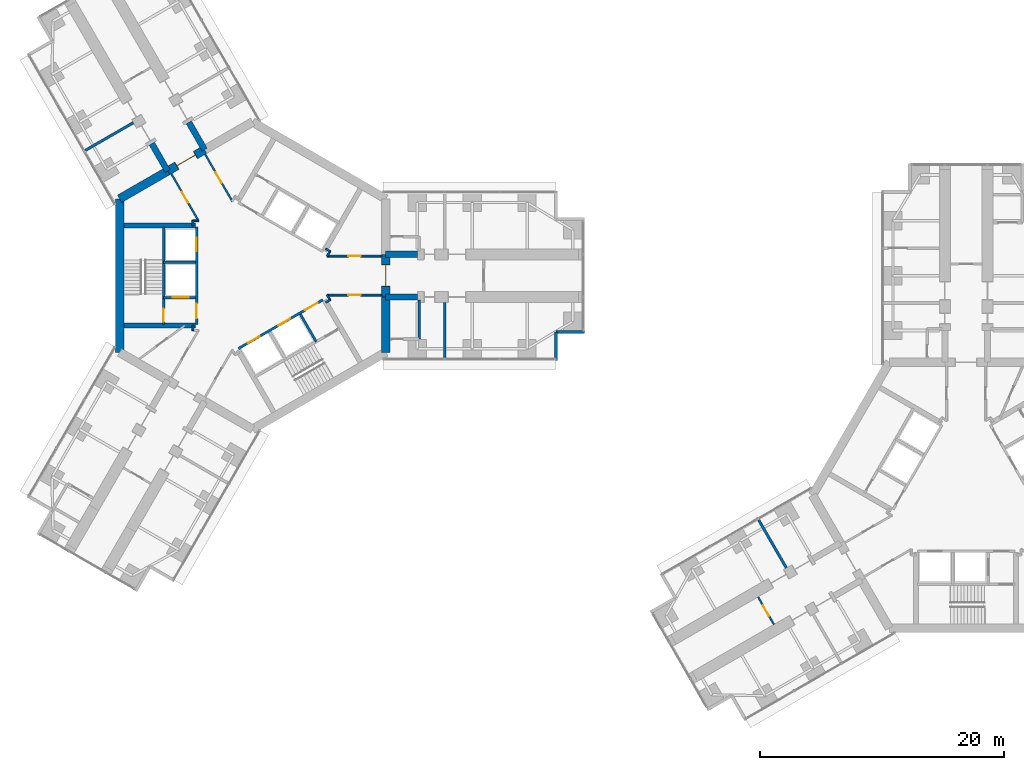
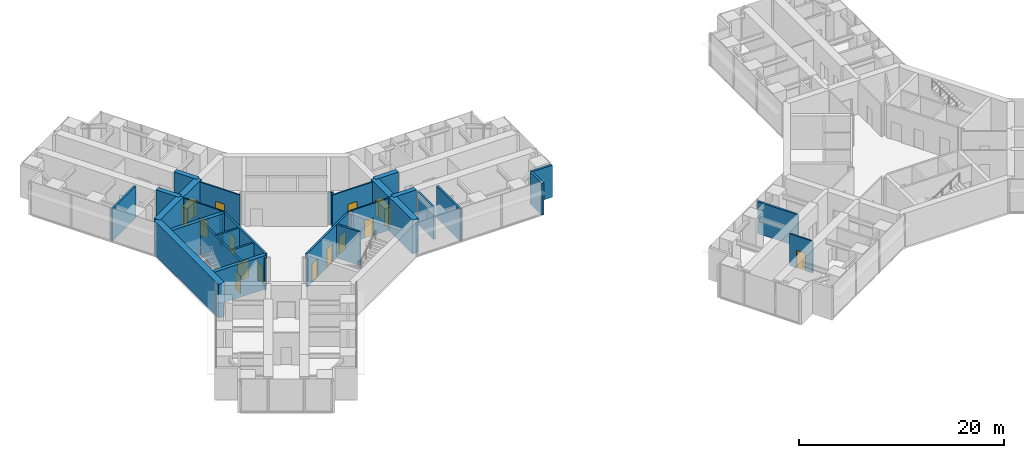
# One storey, part 17 of 23: 35 walls, 14 doors, 14 openings.
"""IFC4 building model written with IfcOpenShell, lengths in metres."""

from ifc_helpers import new_model, si_unit, direction, frame, frame_2d, origin, place, context, subcontext, project, spatial, rectangle, extrude, material, layer, layer_set, type_object, element, fill, save


model = new_model("IFC4")

# Units and contexts
model_context = context("Model", 3, precision=1e-05, world=origin(), true_north=direction((0.0, 1.0)))
body_context = subcontext(model_context, "Body", "Model", "MODEL_VIEW")
ifc_project = project(units=[si_unit("LENGTHUNIT", "METRE"), si_unit("AREAUNIT", "SQUARE_METRE"), si_unit("VOLUMEUNIT", "CUBIC_METRE"), si_unit("PLANEANGLEUNIT", "RADIAN"), si_unit("MASSUNIT", "GRAM", prefix="KILO")], contexts=[model_context])

# Site, building, storey
site_placement = place(None, origin())
site = spatial("IfcSite", under=ifc_project, at=site_placement, CompositionType="ELEMENT")
building_placement = place(site_placement, origin())
building = spatial("IfcBuilding", under=site, at=building_placement, Name="Upepo Twin Towers", CompositionType="ELEMENT")
storey_placement = place(building_placement, frame((0.0, 0.0, 28.5)))
storey = spatial("IfcBuildingStorey", under=building, at=storey_placement, Name="L06", CompositionType="ELEMENT", Elevation=28.5)

# Walls
ifc_material_1 = material(Name="Concrete blockwork, plastered both faces", Category="masonry")
ifc_layer_1 = layer(ifc_material_1, 0.215087890625)
ifc_layer_set_1 = layer_set([ifc_layer_1], Name="Blockwork partition 215")
wall_type_1 = type_object("IfcWallType", Name="Blockwork partition 215", PredefinedType="PARTITIONING", material=ifc_layer_set_1)
wall_1_placement = place(storey_placement, frame((15.75, -2.199951171875, 0.0), z_axis=(0.0, 0.0, 1.0), x_axis=(0.0, -1.0, 0.0)))
element("IfcWall", 1, at=wall_1_placement, inside=storey, type_object=wall_type_1, Name="T1 partition AR at 15.75", PredefinedType="PARTITIONING", context=body_context, shape_type="SweptSolid", body=[
    extrude(rectangle(XDim=4.550048828125, YDim=0.215087890625, at=frame_2d((2.27490234375, 0.0))), origin(), (0.0, 0.0, 1.0), 3.800048828125),
])
wall_2_placement = place(storey_placement, frame((13.657958984375, -2.0, 0.0), z_axis=(0.0, 0.0, 1.0), x_axis=(0.0, -1.0, 0.0)))
element("IfcWall", 2, at=wall_2_placement, inside=storey, type_object=wall_type_1, Name="T1 WC bay partition AR end at 13.66", PredefinedType="PARTITIONING", context=body_context, shape_type="SweptSolid", body=[
    extrude(rectangle(XDim=3.199951171875, YDim=0.215087890625, at=frame_2d((1.60009765625, 0.0))), origin(), (0.0, 0.0, 1.0), 3.800048828125),
])
for number, where, z_axis, x_axis, name in (
    (3, (-9.7802734375, 12.539794921875, 0.0), (0.0, 0.0, 1.0), (-0.866035472144, -0.499982560684, 0.0), "T1 partition BL at 15.75"),
    (4, (43.760009765625, -23.9697265625, 0.0), (0.0, 0.0, 1.0), (-0.499982560684, 0.866035472144, 0.0), "T2 partition BR at 15.75"),
):
    element("IfcWall", number, at=place(storey_placement, frame(where, z_axis=z_axis, x_axis=x_axis)), inside=storey, type_object=wall_type_1, Name=name, PredefinedType="PARTITIONING", context=body_context, shape_type="SweptSolid", body=[
        extrude(rectangle(XDim=4.550048828125, YDim=0.215087890625, at=frame_2d((2.27490234375, 0.0))), origin(), (0.0, 0.0, 1.0), 3.800048828125),
    ])
ifc_material_2 = material(Name="Concrete C60/75", Category="concrete")
ifc_layer_2 = layer(ifc_material_2, 0.5)
ifc_layer_set_2 = layer_set([ifc_layer_2], Name="Concrete C60/75")
wall_type_2 = type_object("IfcWallType", Name="Buttress wall 500 RC", PredefinedType="SHEAR", material=ifc_layer_set_2)
for number, where, z_axis, x_axis, name in (
    (5, (10.908447265625, 1.75, 0.0), (0.0, 0.0, 1.0), (1.0, 0.0, 0.0), "T1 wing A buttress wall L"),
    (6, (10.908447265625, -1.75, 0.0), (0.0, 0.0, 1.0), (1.0, 0.0, 0.0), "T1 wing A buttress wall R"),
):
    element("IfcWall", number, at=place(storey_placement, frame(where, z_axis=z_axis, x_axis=x_axis)), inside=storey, type_object=wall_type_2, Name=name, PredefinedType="SHEAR", context=body_context, shape_type="SweptSolid", body=[
        extrude(rectangle(XDim=2.591552734375, YDim=0.5, at=frame_2d((1.2958984375, 0.0))), origin(), (0.0, 0.0, 1.0), 4.0),
    ])
for number, where, z_axis, x_axis, name in (
    (7, (-6.9697265625, 8.57177734375, 0.0), (0.0, 0.0, 1.0), (-0.499988811324, 0.866031863473, 0.0), "T1 wing B buttress wall L"),
    (8, (-3.938720703125, 10.32177734375, 0.0), (0.0, 0.0, 1.0), (-0.499918158782, 0.866072649678, 0.0), "T1 wing B buttress wall R"),
):
    element("IfcWall", number, at=place(storey_placement, frame(where, z_axis=z_axis, x_axis=x_axis)), inside=storey, type_object=wall_type_2, Name=name, PredefinedType="SHEAR", context=body_context, shape_type="SweptSolid", body=[
        extrude(rectangle(XDim=2.591796875, YDim=0.5, at=frame_2d((1.2958984375, 0.0))), origin(), (0.0, 0.0, 1.0), 4.0),
    ])
ifc_material_3 = material(Name="Concrete C60/75", Category="concrete")
ifc_layer_3 = layer(ifc_material_3, 0.699951171875)
ifc_layer_set_3 = layer_set([ifc_layer_3], Name="Concrete C60/75")
wall_type_3 = type_object("IfcWallType", Name="Core wall 700 RC", PredefinedType="SHEAR", material=ifc_layer_set_3)
wall_3_placement = place(storey_placement, frame((10.908447265625, -6.2978515625, 0.0), z_axis=(0.0, 0.0, 1.0), x_axis=(0.0, 1.0, 0.0)))
element("IfcWall", 9, at=wall_3_placement, inside=storey, type_object=wall_type_3, Name="T1 core wall 000 R", PredefinedType="SHEAR", context=body_context, shape_type="SweptSolid", body=[
    extrude(rectangle(XDim=4.5478515625, YDim=0.699951171875, at=frame_2d((2.27392578125, 0.0))), origin(), (0.0, 0.0, 1.0), 4.0),
])

# Wall, opening, door
wall_4_placement = place(storey_placement, frame((10.908447265625, -1.75, 0.0), z_axis=(0.0, 0.0, 1.0), x_axis=(0.0, 1.0, 0.0)))
wall_4 = element("IfcWall", 10, at=wall_4_placement, inside=storey, type_object=wall_type_3, Name="T1 core wall 000", PredefinedType="SHEAR", context=body_context, shape_type="SweptSolid", body=[
    extrude(rectangle(XDim=3.5, YDim=0.699951171875, at=frame_2d((1.75, 0.0))), origin(), (0.0, 0.0, 1.0), 4.0),
])
opening_1_placement = place(wall_4_placement, frame((0.85009765625, 0.0, 0.0)))
opening_1 = element("IfcOpeningElement", 11, at=opening_1_placement, cuts=wall_4, Name="Opening D2", PredefinedType="OPENING", context=body_context, shape_type="SweptSolid", body=[
    extrude(rectangle(XDim=1.800048828125, YDim=2.10009765625, at=frame_2d((0.89990234375, 1.050048828125))), frame((0.0, 0.35986328125, 0.0), z_axis=(0.0, -1.0, 0.0), x_axis=(1.0, 0.0, 0.0)), (0.0, 0.0, 1.0), 0.719970703125),
])
ifc_material_4 = material(Name="Timber doorset", Category="wood")
door_type_1 = type_object("IfcDoorType", Name="Corridor double door 1800 FD60", OperationType="DOUBLE_DOOR_DOUBLE_SWING", PredefinedType="DOOR", material=ifc_material_4)
door_1_placement = place(opening_1_placement, origin())
door_1 = element("IfcDoor", 12, at=door_1_placement, inside=storey, type_object=door_type_1, Name="T1 L06 wing A corridor door", OperationType="DOUBLE_DOOR_DOUBLE_SWING", OverallHeight=2.10009765625, OverallWidth=1.800048828125, PredefinedType="DOOR", context=body_context, shape_type="SweptSolid", body=[
    extrude(rectangle(XDim=1.720048828125, YDim=2.06009765625, at=frame_2d((0.89990234375, 1.030029296875))), frame((0.0, 0.02490234375, 0.0), z_axis=(0.0, -1.0, 0.0), x_axis=(1.0, 0.0, 0.0)), (0.0, 0.0, 1.0), 0.050048828125),
    extrude(rectangle(XDim=0.04, YDim=2.10009765625, at=frame_2d((0.02001953125, 1.050048828125))), frame((0.0, 0.349609375, 0.0), z_axis=(0.0, -1.0, 0.0), x_axis=(1.0, 0.0, 0.0)), (0.0, 0.0, 1.0), 0.699462890625),
    extrude(rectangle(XDim=0.04, YDim=2.10009765625, at=frame_2d((1.780029296875, 1.050048828125))), frame((0.0, 0.349609375, 0.0), z_axis=(0.0, -1.0, 0.0), x_axis=(1.0, 0.0, 0.0)), (0.0, 0.0, 1.0), 0.699462890625),
    extrude(rectangle(XDim=1.720048828125, YDim=0.04, at=frame_2d((0.89990234375, 2.080078125))), frame((0.0, 0.349609375, 0.0), z_axis=(0.0, -1.0, 0.0), x_axis=(1.0, 0.0, 0.0)), (0.0, 0.0, 1.0), 0.699462890625),
])
fill(opening_1, door_1)

wall_5_placement = place(storey_placement, frame((-3.938720703125, 10.32177734375, 0.0), z_axis=(0.0, 0.0, 1.0), x_axis=(-0.866019471182, -0.500010275428, 0.0)))
wall_5 = element("IfcWall", 13, at=wall_5_placement, inside=storey, type_object=wall_type_3, Name="T1 core wall 120", PredefinedType="SHEAR", context=body_context, shape_type="SweptSolid", body=[
    extrude(rectangle(XDim=3.5, YDim=0.699951171875, at=frame_2d((1.75, 0.0))), origin(), (0.0, 0.0, 1.0), 4.0),
])
opening_2_placement = place(wall_5_placement, frame((0.85009765625, 0.0, 0.0)))
opening_2 = element("IfcOpeningElement", 14, at=opening_2_placement, cuts=wall_5, Name="Opening D2", PredefinedType="OPENING", context=body_context, shape_type="SweptSolid", body=[
    extrude(rectangle(XDim=1.800048828125, YDim=2.10009765625, at=frame_2d((0.89990234375, 1.050048828125))), frame((0.0, 0.35986328125, 0.0), z_axis=(0.0, -1.0, 0.0), x_axis=(1.0, 0.0, 0.0)), (0.0, 0.0, 1.0), 0.719970703125),
])
door_2_placement = place(opening_2_placement, origin())
door_2 = element("IfcDoor", 15, at=door_2_placement, inside=storey, type_object=door_type_1, Name="T1 L06 wing B corridor door", OperationType="DOUBLE_DOOR_DOUBLE_SWING", OverallHeight=2.10009765625, OverallWidth=1.800048828125, PredefinedType="DOOR", context=body_context, shape_type="SweptSolid", body=[
    extrude(rectangle(XDim=1.720048828125, YDim=2.06009765625, at=frame_2d((0.89990234375, 1.030029296875))), frame((0.0, 0.02490234375, 0.0), z_axis=(0.0, -1.0, 0.0), x_axis=(1.0, 0.0, 0.0)), (0.0, 0.0, 1.0), 0.050048828125),
    extrude(rectangle(XDim=0.04, YDim=2.10009765625, at=frame_2d((0.02001953125, 1.050048828125))), frame((0.0, 0.349609375, 0.0), z_axis=(0.0, -1.0, 0.0), x_axis=(1.0, 0.0, 0.0)), (0.0, 0.0, 1.0), 0.699462890625),
    extrude(rectangle(XDim=0.04, YDim=2.10009765625, at=frame_2d((1.780029296875, 1.050048828125))), frame((0.0, 0.349609375, 0.0), z_axis=(0.0, -1.0, 0.0), x_axis=(1.0, 0.0, 0.0)), (0.0, 0.0, 1.0), 0.699462890625),
    extrude(rectangle(XDim=1.720048828125, YDim=0.04, at=frame_2d((0.89990234375, 2.080078125))), frame((0.0, 0.349609375, 0.0), z_axis=(0.0, -1.0, 0.0), x_axis=(1.0, 0.0, 0.0)), (0.0, 0.0, 1.0), 0.699462890625),
])
fill(opening_2, door_2)

# Walls
wall_6_placement = place(storey_placement, frame((-6.9697265625, 8.57177734375, 0.0), z_axis=(0.0, 0.0, 1.0), x_axis=(-0.866034513004, -0.499984222037, 0.0)))
element("IfcWall", 16, at=wall_6_placement, inside=storey, type_object=wall_type_3, Name="T1 core wall 120 L", PredefinedType="SHEAR", context=body_context, shape_type="SweptSolid", body=[
    extrude(rectangle(XDim=4.548095703125, YDim=0.699951171875, at=frame_2d((2.27392578125, 0.0))), origin(), (0.0, 0.0, 1.0), 4.0),
])
wall_7_placement = place(storey_placement, frame((-10.908447265625, 6.2978515625, 0.0), z_axis=(0.0, 0.0, 1.0), x_axis=(0.0, -1.0, 0.0)))
element("IfcWall", 17, at=wall_7_placement, inside=storey, type_object=wall_type_3, Name="T1 core wall 180", PredefinedType="SHEAR", context=body_context, shape_type="SweptSolid", body=[
    extrude(rectangle(XDim=12.595703125, YDim=0.699951171875, at=frame_2d((6.2978515625, 0.0))), origin(), (0.0, 0.0, 1.0), 4.0),
])
ifc_material_5 = material(Name="Blockwork with anodised aluminium cladding", Category="masonry")
ifc_layer_4 = layer(ifc_material_5, 0.25)
ifc_layer_set_4 = layer_set([ifc_layer_4], Name="Notch cladding wall 250, pale metal")
wall_type_4 = type_object("IfcWallType", Name="Notch cladding wall 250, pale metal", PredefinedType="STANDARD", material=ifc_layer_set_4)
for number, where, z_axis, x_axis, name in (
    (18, (24.875, -6.949951171875, 0.0), (0.0, 0.0, 1.0), (0.0, 1.0, 0.0), "T1 L06 wing A notch wall R1"),
    (19, (24.875, -4.625, 0.0), (0.0, 0.0, 1.0), (1.0, 0.0, 0.0), "T1 L06 wing A notch wall R2"),
):
    element("IfcWall", number, at=place(storey_placement, frame(where, z_axis=z_axis, x_axis=x_axis)), inside=storey, type_object=wall_type_4, Name=name, PredefinedType="STANDARD", context=body_context, shape_type="SweptSolid", body=[
        extrude(rectangle(XDim=2.324951171875, YDim=0.25, at=frame_2d((1.16259765625, 0.0))), origin(), (0.0, 0.0, 1.0), 3.800048828125),
    ])

# Wall, openings, doors
ifc_material_6 = material(Name="Concrete C40/50", Category="concrete")
ifc_layer_5 = layer(ifc_material_6, 0.199951171875)
ifc_layer_set_5 = layer_set([ifc_layer_5], Name="Concrete C40/50")
wall_type_5 = type_object("IfcWallType", Name="Shaft wall 200 RC", PredefinedType="SHEAR", material=ifc_layer_set_5)
wall_8_placement = place(storey_placement, frame((-4.60009765625, 4.0, 0.0), z_axis=(0.0, 0.0, 1.0), x_axis=(0.0, -1.0, 0.0)))
wall_8 = element("IfcWall", 20, at=wall_8_placement, inside=storey, type_object=wall_type_5, Name="T1 core W180 front wall", PredefinedType="SHEAR", context=body_context, shape_type="SweptSolid", body=[
    extrude(rectangle(XDim=8.0, YDim=0.199951171875, at=frame_2d((4.0, 0.0))), origin(), (0.0, 0.0, 1.0), 4.0),
])
opening_3_placement = place(wall_8_placement, frame((6.300048828125, 0.0, 0.0)))
opening_3 = element("IfcOpeningElement", 21, at=opening_3_placement, cuts=wall_8, Name="Opening D4", PredefinedType="OPENING", context=body_context, shape_type="SweptSolid", body=[
    extrude(rectangle(XDim=1.199951171875, YDim=2.10009765625, at=frame_2d((0.60009765625, 1.050048828125))), frame((0.0, 0.10986328125, 0.0), z_axis=(0.0, -1.0, 0.0), x_axis=(1.0, 0.0, 0.0)), (0.0, 0.0, 1.0), 0.219970703125),
])
opening_4_placement = place(wall_8_placement, frame((0.89990234375, 0.0, 0.0)))
opening_4 = element("IfcOpeningElement", 22, at=opening_4_placement, cuts=wall_8, Name="Opening LD1", PredefinedType="OPENING", context=body_context, shape_type="SweptSolid", body=[
    extrude(rectangle(XDim=1.10009765625, YDim=2.199951171875, at=frame_2d((0.550048828125, 1.10009765625))), frame((0.0, 0.10986328125, 0.0), z_axis=(0.0, -1.0, 0.0), x_axis=(1.0, 0.0, 0.0)), (0.0, 0.0, 1.0), 0.219970703125),
])
ifc_material_7 = material(Name="Steel doorset", Category="steel")
door_type_2 = type_object("IfcDoorType", Name="Lift landing door 1100", OperationType="DOUBLE_DOOR_SLIDING", PredefinedType="DOOR", material=ifc_material_7)
door_3_placement = place(opening_4_placement, origin())
door_3 = element("IfcDoor", 23, at=door_3_placement, inside=storey, type_object=door_type_2, Name="T1 L06 lift SV1 landing door", OperationType="DOUBLE_DOOR_SLIDING", OverallHeight=2.199951171875, OverallWidth=1.10009765625, PredefinedType="DOOR", context=body_context, shape_type="SweptSolid", body=[
    extrude(rectangle(XDim=1.10009765625, YDim=2.199951171875, at=frame_2d((0.550048828125, 1.10009765625))), frame((0.0, 0.02490234375, 0.0), z_axis=(0.0, -1.0, 0.0), x_axis=(1.0, 0.0, 0.0)), (0.0, 0.0, 1.0), 0.050048828125),
])
fill(opening_4, door_3)
ifc_material_8 = material(Name="Timber doorset", Category="wood")
door_type_3 = type_object("IfcDoorType", Name="Lobby door 1200 FD60", OperationType="SINGLE_SWING_LEFT", PredefinedType="DOOR", material=ifc_material_8)
door_4_placement = place(opening_3_placement, origin())
door_4 = element("IfcDoor", 24, at=door_4_placement, inside=storey, type_object=door_type_3, Name="T1 L06 W180 lobby door", OperationType="SINGLE_SWING_RIGHT", OverallHeight=2.10009765625, OverallWidth=1.199951171875, PredefinedType="DOOR", context=body_context, shape_type="SweptSolid", body=[
    extrude(rectangle(XDim=1.199951171875, YDim=2.10009765625, at=frame_2d((0.60009765625, 1.050048828125))), frame((0.0, 0.02490234375, 0.0), z_axis=(0.0, -1.0, 0.0), x_axis=(1.0, 0.0, 0.0)), (0.0, 0.0, 1.0), 0.050048828125),
])
fill(opening_3, door_4)

# Wall
wall_9_placement = place(storey_placement, frame((-4.699951171875, 1.10009765625, 0.0), z_axis=(0.0, 0.0, 1.0), x_axis=(-1.0, 0.0, 0.0)))
element("IfcWall", 25, at=wall_9_placement, inside=storey, type_object=wall_type_5, Name="T1 core W180 shaft divider", PredefinedType="SHEAR", context=body_context, shape_type="SweptSolid", body=[
    extrude(rectangle(XDim=2.60009765625, YDim=0.199951171875, at=frame_2d((1.300048828125, 0.0))), origin(), (0.0, 0.0, 1.0), 4.0),
])

# Wall, opening, door
wall_10_placement = place(storey_placement, frame((-4.699951171875, -1.800048828125, 0.0), z_axis=(0.0, 0.0, 1.0), x_axis=(-1.0, 0.0, 0.0)))
wall_10 = element("IfcWall", 26, at=wall_10_placement, inside=storey, type_object=wall_type_5, Name="T1 core W180 lobby wall", PredefinedType="SHEAR", context=body_context, shape_type="SweptSolid", body=[
    extrude(rectangle(XDim=2.60009765625, YDim=0.199951171875, at=frame_2d((1.300048828125, 0.0))), origin(), (0.0, 0.0, 1.0), 4.0),
])
opening_5_placement = place(wall_10_placement, frame((0.550048828125, 0.0, 0.0)))
opening_5 = element("IfcOpeningElement", 27, at=opening_5_placement, cuts=wall_10, Name="Opening LD2", PredefinedType="OPENING", context=body_context, shape_type="SweptSolid", body=[
    extrude(rectangle(XDim=1.300048828125, YDim=2.199951171875, at=frame_2d((0.64990234375, 1.10009765625))), frame((0.0, 0.10986328125, 0.0), z_axis=(0.0, -1.0, 0.0), x_axis=(1.0, 0.0, 0.0)), (0.0, 0.0, 1.0), 0.219970703125),
])
ifc_material_9 = material(Name="Steel doorset", Category="steel")
door_type_4 = type_object("IfcDoorType", Name="Firefighting lift landing door 1300", OperationType="DOUBLE_DOOR_SLIDING", PredefinedType="DOOR", material=ifc_material_9)
door_5_placement = place(opening_5_placement, origin())
door_5 = element("IfcDoor", 28, at=door_5_placement, inside=storey, type_object=door_type_4, Name="T1 L06 firefighting lift landing door", OperationType="DOUBLE_DOOR_SLIDING", OverallHeight=2.199951171875, OverallWidth=1.300048828125, PredefinedType="DOOR", context=body_context, shape_type="SweptSolid", body=[
    extrude(rectangle(XDim=1.300048828125, YDim=2.199951171875, at=frame_2d((0.64990234375, 1.10009765625))), frame((0.0, 0.02490234375, 0.0), z_axis=(0.0, -1.0, 0.0), x_axis=(1.0, 0.0, 0.0)), (0.0, 0.0, 1.0), 0.050048828125),
])
fill(opening_5, door_5)

wall_11_placement = place(storey_placement, frame((-7.300048828125, 4.0, 0.0), z_axis=(0.0, 0.0, 1.0), x_axis=(0.0, -1.0, 0.0)))
wall_11 = element("IfcWall", 29, at=wall_11_placement, inside=storey, type_object=wall_type_5, Name="T1 core W180 stair wall", PredefinedType="SHEAR", context=body_context, shape_type="SweptSolid", body=[
    extrude(rectangle(XDim=8.0, YDim=0.199951171875, at=frame_2d((4.0, 0.0))), origin(), (0.0, 0.0, 1.0), 4.0),
])
opening_6_placement = place(wall_11_placement, frame((6.699951171875, 0.0, 0.0)))
opening_6 = element("IfcOpeningElement", 30, at=opening_6_placement, cuts=wall_11, Name="Opening D3", PredefinedType="OPENING", context=body_context, shape_type="SweptSolid", body=[
    extrude(rectangle(XDim=1.10009765625, YDim=2.10009765625, at=frame_2d((0.550048828125, 1.050048828125))), frame((0.0, 0.10986328125, 0.0), z_axis=(0.0, -1.0, 0.0), x_axis=(1.0, 0.0, 0.0)), (0.0, 0.0, 1.0), 0.219970703125),
])
ifc_material_10 = material(Name="Timber doorset", Category="wood")
door_type_5 = type_object("IfcDoorType", Name="Stair door 1100 FD60", OperationType="SINGLE_SWING_LEFT", PredefinedType="DOOR", material=ifc_material_10)
door_6_placement = place(opening_6_placement, origin())
door_6 = element("IfcDoor", 31, at=door_6_placement, inside=storey, type_object=door_type_5, Name="T1 L06 stair door", OperationType="SINGLE_SWING_RIGHT", OverallHeight=2.10009765625, OverallWidth=1.10009765625, PredefinedType="DOOR", context=body_context, shape_type="SweptSolid", body=[
    extrude(rectangle(XDim=1.10009765625, YDim=2.10009765625, at=frame_2d((0.550048828125, 1.050048828125))), frame((0.0, 0.02490234375, 0.0), z_axis=(0.0, -1.0, 0.0), x_axis=(1.0, 0.0, 0.0)), (0.0, 0.0, 1.0), 0.050048828125),
])
fill(opening_6, door_6)

# Wall, openings, doors
wall_12_placement = place(storey_placement, frame((-1.1640625, -5.983642578125, 0.0), z_axis=(0.0, 0.0, 1.0), x_axis=(0.866026010844, 0.49999894854, 0.0)))
wall_12 = element("IfcWall", 32, at=wall_12_placement, inside=storey, type_object=wall_type_5, Name="T1 core W300 front wall", PredefinedType="SHEAR", context=body_context, shape_type="SweptSolid", body=[
    extrude(rectangle(XDim=8.0, YDim=0.199951171875, at=frame_2d((4.0, 0.0))), origin(), (0.0, 0.0, 1.0), 4.0),
])
opening_7_placement = place(wall_12_placement, frame((6.300048828125, 0.0, 0.0)))
opening_7 = element("IfcOpeningElement", 33, at=opening_7_placement, cuts=wall_12, Name="Opening D4", PredefinedType="OPENING", context=body_context, shape_type="SweptSolid", body=[
    extrude(rectangle(XDim=1.199951171875, YDim=2.10009765625, at=frame_2d((0.60009765625, 1.050048828125))), frame((0.0, 0.10986328125, 0.0), z_axis=(0.0, -1.0, 0.0), x_axis=(1.0, 0.0, 0.0)), (0.0, 0.0, 1.0), 0.219970703125),
])
opening_8_placement = place(wall_12_placement, frame((0.89990234375, 0.0, 0.0)))
opening_8 = element("IfcOpeningElement", 34, at=opening_8_placement, cuts=wall_12, Name="Opening LD1", PredefinedType="OPENING", context=body_context, shape_type="SweptSolid", body=[
    extrude(rectangle(XDim=1.10009765625, YDim=2.199951171875, at=frame_2d((0.550048828125, 1.10009765625))), frame((0.0, 0.10986328125, 0.0), z_axis=(0.0, -1.0, 0.0), x_axis=(1.0, 0.0, 0.0)), (0.0, 0.0, 1.0), 0.219970703125),
])
opening_9_placement = place(wall_12_placement, frame((3.800048828125, 0.0, 0.0)))
opening_9 = element("IfcOpeningElement", 35, at=opening_9_placement, cuts=wall_12, Name="Opening LD1", PredefinedType="OPENING", context=body_context, shape_type="SweptSolid", body=[
    extrude(rectangle(XDim=1.10009765625, YDim=2.199951171875, at=frame_2d((0.550048828125, 1.10009765625))), frame((0.0, 0.10986328125, 0.0), z_axis=(0.0, -1.0, 0.0), x_axis=(1.0, 0.0, 0.0)), (0.0, 0.0, 1.0), 0.219970703125),
])
door_7_placement = place(opening_8_placement, origin())
door_7 = element("IfcDoor", 36, at=door_7_placement, inside=storey, type_object=door_type_2, Name="T1 L06 lift LL1 landing door", OperationType="DOUBLE_DOOR_SLIDING", OverallHeight=2.199951171875, OverallWidth=1.10009765625, PredefinedType="DOOR", context=body_context, shape_type="SweptSolid", body=[
    extrude(rectangle(XDim=1.10009765625, YDim=2.199951171875, at=frame_2d((0.550048828125, 1.10009765625))), frame((0.0, 0.02490234375, 0.0), z_axis=(0.0, -1.0, 0.0), x_axis=(1.0, 0.0, 0.0)), (0.0, 0.0, 1.0), 0.050048828125),
])
fill(opening_8, door_7)
door_8_placement = place(opening_9_placement, origin())
door_8 = element("IfcDoor", 37, at=door_8_placement, inside=storey, type_object=door_type_2, Name="T1 L06 lift LL2 landing door", OperationType="DOUBLE_DOOR_SLIDING", OverallHeight=2.199951171875, OverallWidth=1.10009765625, PredefinedType="DOOR", context=body_context, shape_type="SweptSolid", body=[
    extrude(rectangle(XDim=1.10009765625, YDim=2.199951171875, at=frame_2d((0.550048828125, 1.10009765625))), frame((0.0, 0.02490234375, 0.0), z_axis=(0.0, -1.0, 0.0), x_axis=(1.0, 0.0, 0.0)), (0.0, 0.0, 1.0), 0.050048828125),
])
fill(opening_9, door_8)
door_9_placement = place(opening_7_placement, origin())
door_9 = element("IfcDoor", 38, at=door_9_placement, inside=storey, type_object=door_type_3, Name="T1 L06 W300 lobby door", OperationType="SINGLE_SWING_RIGHT", OverallHeight=2.10009765625, OverallWidth=1.199951171875, PredefinedType="DOOR", context=body_context, shape_type="SweptSolid", body=[
    extrude(rectangle(XDim=1.199951171875, YDim=2.10009765625, at=frame_2d((0.60009765625, 1.050048828125))), frame((0.0, 0.02490234375, 0.0), z_axis=(0.0, -1.0, 0.0), x_axis=(1.0, 0.0, 0.0)), (0.0, 0.0, 1.0), 0.050048828125),
])
fill(opening_7, door_9)

# Walls
wall_13_placement = place(storey_placement, frame((3.908935546875, -3.17041015625, 0.0), z_axis=(0.0, 0.0, 1.0), x_axis=(0.49997716683, -0.86603858612, 0.0)))
element("IfcWall", 39, at=wall_13_placement, inside=storey, type_object=wall_type_5, Name="T1 core W300 lobby wall", PredefinedType="SHEAR", context=body_context, shape_type="SweptSolid", body=[
    extrude(rectangle(XDim=2.599609375, YDim=0.199951171875, at=frame_2d((1.2998046875, 0.0))), origin(), (0.0, 0.0, 1.0), 4.0),
])
ifc_material_11 = material(Name="Concrete C40/50", Category="concrete")
ifc_layer_6 = layer(ifc_material_11, 0.39990234375)
ifc_layer_set_6 = layer_set([ifc_layer_6], Name="Concrete C40/50")
wall_type_6 = type_object("IfcWallType", Name="Shaft wall 400 RC", PredefinedType="SHEAR", material=ifc_layer_set_6)
for number, where, z_axis, x_axis, name in (
    (40, (-4.699951171875, -4.10009765625, 0.0), (0.0, 0.0, 1.0), (-1.0, 0.0, 0.0), "T1 core W180 side wall N"),
    (41, (-4.699951171875, 4.10009765625, 0.0), (0.0, 0.0, 1.0), (-1.0, 0.0, 0.0), "T1 core W180 side wall S"),
):
    element("IfcWall", number, at=place(storey_placement, frame(where, z_axis=z_axis, x_axis=x_axis)), inside=storey, type_object=wall_type_6, Name=name, PredefinedType="SHEAR", context=body_context, shape_type="SweptSolid", body=[
        extrude(rectangle(XDim=5.8583984375, YDim=0.39990234375, at=frame_2d((2.92919921875, 0.0))), origin(), (0.0, 0.0, 1.0), 4.0),
    ])
ifc_material_12 = material(Name="Gypsum board on steel studs", Category="steel")
ifc_layer_7 = layer(ifc_material_12, 0.14990234375)
ifc_layer_set_7 = layer_set([ifc_layer_7], Name="Teaching partition 150 acoustic")
wall_type_7 = type_object("IfcWallType", Name="Teaching partition 150 acoustic", PredefinedType="PARTITIONING", material=ifc_layer_set_7)
for number, where, z_axis, x_axis, name in (
    (42, (6.364501953125, -1.9833984375, 0.0), (0.0, 0.0, 1.0), (-0.865892400268, -0.500230298122, 0.0), "T1 core room partition 1"),
    (43, (-4.89990234375, -4.52001953125, 0.0), (0.0, 0.0, 1.0), (0.0, 1.0, 0.0), "T1 core room partition 7"),
    (44, (-4.89990234375, 4.090087890625, 0.0), (0.0, 0.0, 1.0), (0.0, 1.0, 0.0), "T1 core room partition 8"),
):
    element("IfcWall", number, at=place(storey_placement, frame(where, z_axis=z_axis, x_axis=x_axis)), inside=storey, type_object=wall_type_7, Name=name, PredefinedType="PARTITIONING", context=body_context, shape_type="SweptSolid", body=[
        extrude(rectangle(XDim=0.429931640625, YDim=0.14990234375, at=frame_2d((0.21484375, 0.0))), origin(), (0.0, 0.0, 1.0), 3.800048828125),
    ])
wall_14_placement = place(storey_placement, frame((-4.919921875, 4.5, 0.0), z_axis=(0.0, 0.0, 1.0), x_axis=(1.0, 0.0, 0.0)))
element("IfcWall", 45, at=wall_14_placement, inside=storey, type_object=wall_type_7, Name="T1 core room partition 9", PredefinedType="PARTITIONING", context=body_context, shape_type="SweptSolid", body=[
    extrude(rectangle(XDim=0.494384765625, YDim=0.14990234375, at=frame_2d((0.2470703125, 0.0))), origin(), (0.0, 0.0, 1.0), 3.800048828125),
])

# Wall, opening, door
wall_15_placement = place(storey_placement, frame((-4.435546875, 4.482666015625, 0.0), z_axis=(0.0, 0.0, 1.0), x_axis=(-0.500017246033, 0.866015446554, 0.0)))
wall_15 = element("IfcWall", 46, at=wall_15_placement, inside=storey, type_object=wall_type_7, Name="T1 core room partition 10", PredefinedType="PARTITIONING", context=body_context, shape_type="SweptSolid", body=[
    extrude(rectangle(XDim=4.468505859375, YDim=0.14990234375, at=frame_2d((2.234375, 0.0))), origin(), (0.0, 0.0, 1.0), 3.800048828125),
])
opening_10_placement = place(wall_15_placement, frame((1.744384765625, 0.0, 0.0)))
opening_10 = element("IfcOpeningElement", 47, at=opening_10_placement, cuts=wall_15, Name="Opening D1", PredefinedType="OPENING", context=body_context, shape_type="SweptSolid", body=[
    extrude(rectangle(XDim=1.0, YDim=2.10009765625, at=frame_2d((0.5, 1.050048828125))), frame((0.0, 0.0849609375, 0.0), z_axis=(0.0, -1.0, 0.0), x_axis=(1.0, 0.0, 0.0)), (0.0, 0.0, 1.0), 0.169921875),
])
ifc_material_13 = material(Name="Timber doorset", Category="wood")
door_type_6 = type_object("IfcDoorType", Name="Room door 1000 FD30", OperationType="SINGLE_SWING_LEFT", PredefinedType="DOOR", material=ifc_material_13)
door_10_placement = place(opening_10_placement, origin())
door_10 = element("IfcDoor", 48, at=door_10_placement, inside=storey, type_object=door_type_6, Name="T1 L06 core room door K7", OperationType="SINGLE_SWING_RIGHT", OverallHeight=2.10009765625, OverallWidth=1.0, PredefinedType="DOOR", context=body_context, shape_type="SweptSolid", body=[
    extrude(rectangle(XDim=1.0, YDim=2.10009765625, at=frame_2d((0.5, 1.050048828125))), frame((0.0, 0.02490234375, 0.0), z_axis=(0.0, -1.0, 0.0), x_axis=(1.0, 0.0, 0.0)), (0.0, 0.0, 1.0), 0.050048828125),
])
fill(opening_10, door_10)

wall_16_placement = place(storey_placement, frame((-3.8984375, 9.952392578125, 0.0), z_axis=(0.0, 0.0, 1.0), x_axis=(0.499999927604, -0.866025445582, 0.0)))
wall_16 = element("IfcWall", 49, at=wall_16_placement, inside=storey, type_object=wall_type_7, Name="T1 core room partition 11", PredefinedType="PARTITIONING", context=body_context, shape_type="SweptSolid", body=[
    extrude(rectangle(XDim=4.46826171875, YDim=0.14990234375, at=frame_2d((2.234130859375, 0.0))), origin(), (0.0, 0.0, 1.0), 3.800048828125),
])
opening_11_placement = place(wall_16_placement, frame((1.72412109375, 0.0, 0.0)))
opening_11 = element("IfcOpeningElement", 50, at=opening_11_placement, cuts=wall_16, Name="Opening D1", PredefinedType="OPENING", context=body_context, shape_type="SweptSolid", body=[
    extrude(rectangle(XDim=1.0, YDim=2.10009765625, at=frame_2d((0.5, 1.050048828125))), frame((0.0, 0.0849609375, 0.0), z_axis=(0.0, -1.0, 0.0), x_axis=(1.0, 0.0, 0.0)), (0.0, 0.0, 1.0), 0.169921875),
])
door_11_placement = place(opening_11_placement, origin())
door_11 = element("IfcDoor", 51, at=door_11_placement, inside=storey, type_object=door_type_6, Name="T1 L06 core room door K6", OperationType="SINGLE_SWING_LEFT", OverallHeight=2.10009765625, OverallWidth=1.0, PredefinedType="DOOR", context=body_context, shape_type="SweptSolid", body=[
    extrude(rectangle(XDim=1.0, YDim=2.10009765625, at=frame_2d((0.5, 1.050048828125))), frame((0.0, 0.02490234375, 0.0), z_axis=(0.0, -1.0, 0.0), x_axis=(1.0, 0.0, 0.0)), (0.0, 0.0, 1.0), 0.050048828125),
])
fill(opening_11, door_11)

# Walls
wall_17_placement = place(storey_placement, frame((5.9921875, 2.198486328125, 0.0), z_axis=(0.0, 0.0, 1.0), x_axis=(0.865892400268, -0.500230298122, 0.0)))
element("IfcWall", 52, at=wall_17_placement, inside=storey, type_object=wall_type_7, Name="T1 core room partition 14", PredefinedType="PARTITIONING", context=body_context, shape_type="SweptSolid", body=[
    extrude(rectangle(XDim=0.429931640625, YDim=0.14990234375, at=frame_2d((0.21484375, 0.0))), origin(), (0.0, 0.0, 1.0), 3.800048828125),
])
wall_18_placement = place(storey_placement, frame((6.357177734375, 2.0107421875, 0.0), z_axis=(0.0, 0.0, 1.0), x_axis=(-0.50033519877, -0.865831790172, 0.0)))
element("IfcWall", 53, at=wall_18_placement, inside=storey, type_object=wall_type_7, Name="T1 core room partition 15", PredefinedType="PARTITIONING", context=body_context, shape_type="SweptSolid", body=[
    extrude(rectangle(XDim=0.494384765625, YDim=0.14990234375, at=frame_2d((0.2470703125, 0.0))), origin(), (0.0, 0.0, 1.0), 3.800048828125),
])

# Wall, opening, door
wall_19_placement = place(storey_placement, frame((6.099853515625, 1.60009765625, 0.0), z_axis=(0.0, 0.0, 1.0), x_axis=(1.0, 0.0, 0.0)))
wall_19 = element("IfcWall", 54, at=wall_19_placement, inside=storey, type_object=wall_type_7, Name="T1 core room partition 16", PredefinedType="PARTITIONING", context=body_context, shape_type="SweptSolid", body=[
    extrude(rectangle(XDim=4.468505859375, YDim=0.14990234375, at=frame_2d((2.234375, 0.0))), origin(), (0.0, 0.0, 1.0), 3.800048828125),
])
opening_12_placement = place(wall_19_placement, frame((1.744384765625, 0.0, 0.0)))
opening_12 = element("IfcOpeningElement", 55, at=opening_12_placement, cuts=wall_19, Name="Opening D1", PredefinedType="OPENING", context=body_context, shape_type="SweptSolid", body=[
    extrude(rectangle(XDim=1.0, YDim=2.10009765625, at=frame_2d((0.5, 1.050048828125))), frame((0.0, 0.0849609375, 0.0), z_axis=(0.0, -1.0, 0.0), x_axis=(1.0, 0.0, 0.0)), (0.0, 0.0, 1.0), 0.169921875),
])
door_12_placement = place(opening_12_placement, origin())
door_12 = element("IfcDoor", 56, at=door_12_placement, inside=storey, type_object=door_type_6, Name="T1 L06 core room door K5", OperationType="SINGLE_SWING_RIGHT", OverallHeight=2.10009765625, OverallWidth=1.0, PredefinedType="DOOR", context=body_context, shape_type="SweptSolid", body=[
    extrude(rectangle(XDim=1.0, YDim=2.10009765625, at=frame_2d((0.5, 1.050048828125))), frame((0.0, 0.02490234375, 0.0), z_axis=(0.0, -1.0, 0.0), x_axis=(1.0, 0.0, 0.0)), (0.0, 0.0, 1.0), 0.050048828125),
])
fill(opening_12, door_12)

wall_20_placement = place(storey_placement, frame((10.568359375, -1.60009765625, 0.0), z_axis=(0.0, 0.0, 1.0), x_axis=(-1.0, 0.0, 0.0)))
wall_20 = element("IfcWall", 57, at=wall_20_placement, inside=storey, type_object=wall_type_7, Name="T1 core room partition 17", PredefinedType="PARTITIONING", context=body_context, shape_type="SweptSolid", body=[
    extrude(rectangle(XDim=4.468505859375, YDim=0.14990234375, at=frame_2d((2.234375, 0.0))), origin(), (0.0, 0.0, 1.0), 3.800048828125),
])
opening_13_placement = place(wall_20_placement, frame((1.72412109375, 0.0, 0.0)))
opening_13 = element("IfcOpeningElement", 58, at=opening_13_placement, cuts=wall_20, Name="Opening D1", PredefinedType="OPENING", context=body_context, shape_type="SweptSolid", body=[
    extrude(rectangle(XDim=1.0, YDim=2.10009765625, at=frame_2d((0.5, 1.050048828125))), frame((0.0, 0.0849609375, 0.0), z_axis=(0.0, -1.0, 0.0), x_axis=(1.0, 0.0, 0.0)), (0.0, 0.0, 1.0), 0.169921875),
])
door_13_placement = place(opening_13_placement, origin())
door_13 = element("IfcDoor", 59, at=door_13_placement, inside=storey, type_object=door_type_6, Name="T1 L06 core room door K4", OperationType="SINGLE_SWING_LEFT", OverallHeight=2.10009765625, OverallWidth=1.0, PredefinedType="DOOR", context=body_context, shape_type="SweptSolid", body=[
    extrude(rectangle(XDim=1.0, YDim=2.10009765625, at=frame_2d((0.5, 1.050048828125))), frame((0.0, 0.02490234375, 0.0), z_axis=(0.0, -1.0, 0.0), x_axis=(1.0, 0.0, 0.0)), (0.0, 0.0, 1.0), 0.050048828125),
])
fill(opening_13, door_13)

# Wall
wall_21_placement = place(storey_placement, frame((6.10986328125, -1.582763671875, 0.0), z_axis=(0.0, 0.0, 1.0), x_axis=(0.50033519877, -0.865831790172, 0.0)))
element("IfcWall", 60, at=wall_21_placement, inside=storey, type_object=wall_type_7, Name="T1 core room partition 18", PredefinedType="PARTITIONING", context=body_context, shape_type="SweptSolid", body=[
    extrude(rectangle(XDim=0.494384765625, YDim=0.14990234375, at=frame_2d((0.2470703125, 0.0))), origin(), (0.0, 0.0, 1.0), 3.800048828125),
])

# Wall, opening, door
wall_22_placement = place(storey_placement, frame((41.438720703125, -26.34912109375, 0.0), z_axis=(0.0, 0.0, 1.0), x_axis=(0.500006934395, -0.866021400173, 0.0)))
wall_22 = element("IfcWall", 61, at=wall_22_placement, inside=storey, type_object=wall_type_7, Name="T2 corridor end partition B at 18.95", PredefinedType="PARTITIONING", context=body_context, shape_type="SweptSolid", body=[
    extrude(rectangle(XDim=2.60009765625, YDim=0.14990234375, at=frame_2d((1.300048828125, 0.0))), origin(), (0.0, 0.0, 1.0), 3.800048828125),
])
opening_14_placement = place(wall_22_placement, frame((0.800048828125, 0.0, 0.0)))
opening_14 = element("IfcOpeningElement", 62, at=opening_14_placement, cuts=wall_22, Name="Opening D1", PredefinedType="OPENING", context=body_context, shape_type="SweptSolid", body=[
    extrude(rectangle(XDim=1.0, YDim=2.10009765625, at=frame_2d((0.5, 1.050048828125))), frame((0.0, 0.0849609375, 0.0), z_axis=(0.0, -1.0, 0.0), x_axis=(1.0, 0.0, 0.0)), (0.0, 0.0, 1.0), 0.169921875),
])
door_14_placement = place(opening_14_placement, origin())
door_14 = element("IfcDoor", 63, at=door_14_placement, inside=storey, type_object=door_type_6, Name="T2 L06 breakout study room door", OperationType="SINGLE_SWING_LEFT", OverallHeight=2.10009765625, OverallWidth=1.0, PredefinedType="DOOR", context=body_context, shape_type="SweptSolid", body=[
    extrude(rectangle(XDim=1.0, YDim=2.10009765625, at=frame_2d((0.5, 1.050048828125))), frame((0.0, 0.02490234375, 0.0), z_axis=(0.0, -1.0, 0.0), x_axis=(1.0, 0.0, 0.0)), (0.0, 0.0, 1.0), 0.050048828125),
])
fill(opening_14, door_14)

save(model, "model.ifc")
